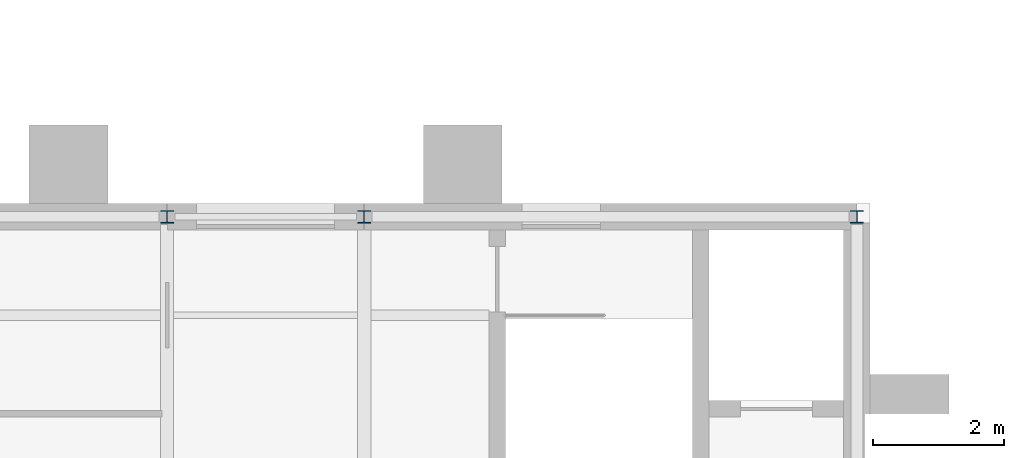
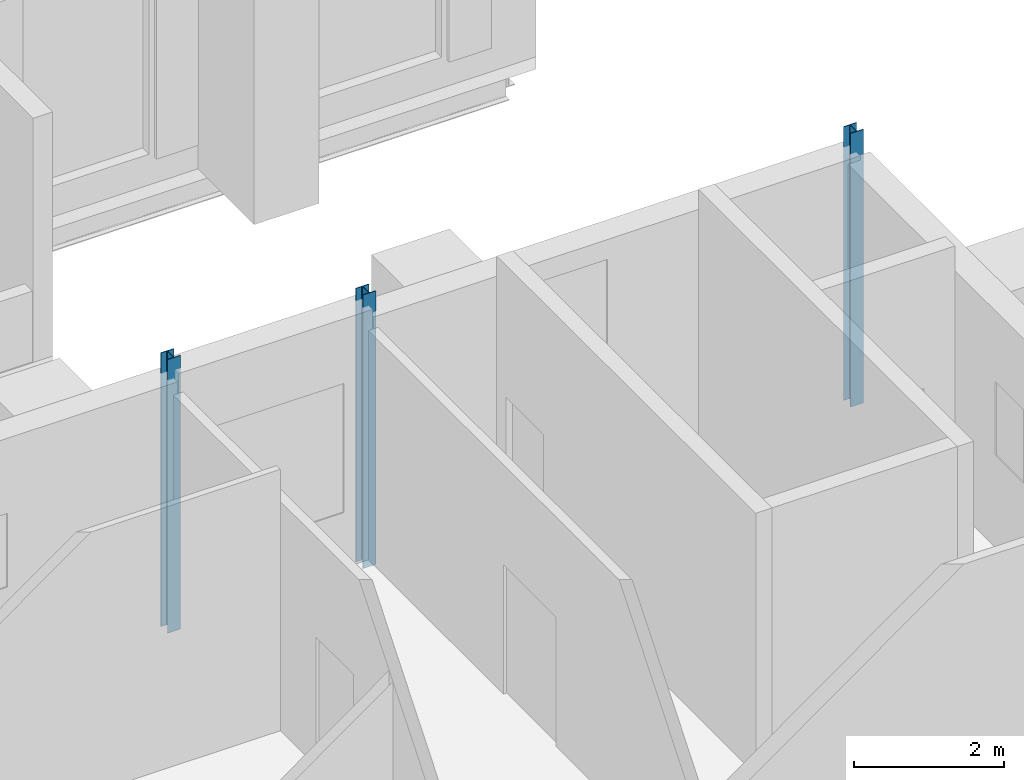
# One storey, part 21 of 131: 3 columns.
"""IFC4 building model written with IfcOpenShell, lengths in metres."""

from ifc_helpers import new_model, si_unit, direction, frame, origin, origin_2d, place, context, subcontext, project, spatial, i_section, extrude, material, material_profile, profile_set, type_object, element, save


model = new_model("IFC4")

# Units and contexts
model_context = context("Model", 3, precision=1e-05, world=origin(), true_north=direction((0.0, 1.0)))
body_context = subcontext(model_context, "Body", "Model", "MODEL_VIEW")
ifc_project = project(units=[si_unit("LENGTHUNIT", "METRE"), si_unit("AREAUNIT", "SQUARE_METRE"), si_unit("VOLUMEUNIT", "CUBIC_METRE"), si_unit("PLANEANGLEUNIT", "RADIAN"), si_unit("MASSUNIT", "GRAM", prefix="KILO")], contexts=[model_context])

# Site, building, storey
site_placement = place(None, origin())
site = spatial("IfcSite", under=ifc_project, at=site_placement, CompositionType="ELEMENT")
building_placement = place(site_placement, origin())
building = spatial("IfcBuilding", under=site, at=building_placement, Name="Golden Quay Civic Hall", CompositionType="ELEMENT")
storey_placement = place(building_placement, frame((0.0, 0.0, 9.89990234375)))
storey = spatial("IfcBuildingStorey", under=building, at=storey_placement, Name="L02", CompositionType="ELEMENT", Elevation=9.89990234375)

# Columns
ifc_material = material(Name="Steel S355", Category="steel")
ifc_material_profile = material_profile(ifc_material, i_section(OverallWidth=0.199951171875, OverallDepth=0.18994140625, WebThickness=0.006591796875, FlangeThickness=0.010009765625, FilletRadius=0.01806640625, at=origin_2d()), Name="HEA 200")
ifc_profile_set = profile_set([ifc_material_profile], Name="Steel S355")
column_type = type_object("IfcColumnType", Name="Steel column HEA 200", PredefinedType="COLUMN", material=ifc_profile_set)
for number, where, z_axis, x_axis, name in (
    (1, (160.5, 54.0, -0.199951171875), (0.0, 0.0, 1.0), (1.0, 0.0, 0.0), "Column 160.5/54 L02"),
    (2, (163.5, 54.0, -0.199951171875), (0.0, 0.0, 1.0), (1.0, 0.0, 0.0), "Column 163.5/54 L02"),
    (3, (171.0, 54.0, -0.199951171875), (0.0, 0.0, 1.0), (1.0, 0.0, 0.0), "Column 171/54 L02"),
):
    element("IfcColumn", number, at=place(storey_placement, frame(where, z_axis=z_axis, x_axis=x_axis)), inside=storey, type_object=column_type, Name=name, PredefinedType="COLUMN", context=body_context, shape_type="SweptSolid", body=[
        extrude(i_section(OverallWidth=0.199951171875, OverallDepth=0.18994140625, WebThickness=0.006591796875, FlangeThickness=0.010009765625, FilletRadius=0.01806640625, at=origin_2d()), origin(), (0.0, 0.0, 1.0), 4.449951171875),
    ])

save(model, "model.ifc")
